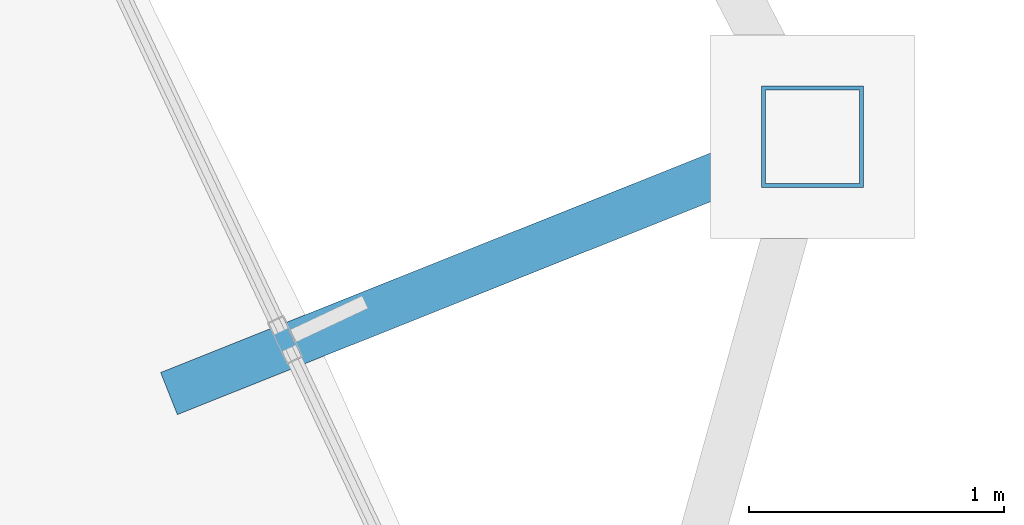
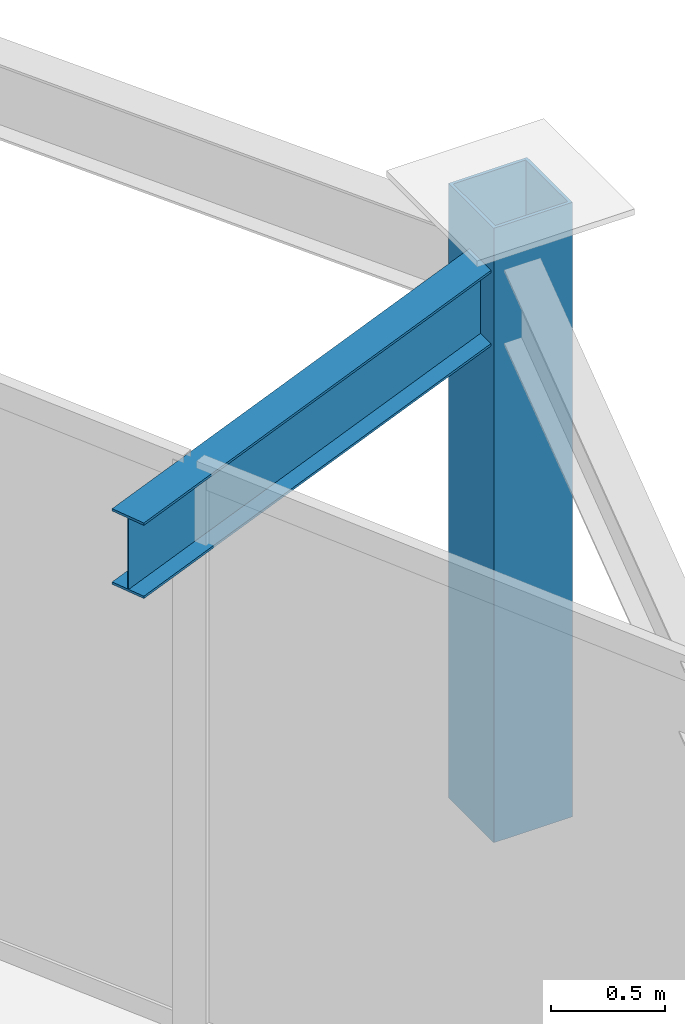
# One storey, part 19 of 33: 1 beam, 1 member.
"""IFC4 building model written with IfcOpenShell, lengths in metres."""

from ifc_helpers import new_model, si_unit, direction, frame, origin, origin_2d, place, context, subcontext, project, spatial, hollow_rectangle, i_section, extrude, material, material_profile, profile_set, type_object, element, save


model = new_model("IFC4")

# Units and contexts
model_context = context("Model", 3, precision=1e-05, world=origin(), true_north=direction((0.0, 1.0)))
body_context = subcontext(model_context, "Body", "Model", "MODEL_VIEW")
ifc_project = project(units=[si_unit("LENGTHUNIT", "METRE"), si_unit("AREAUNIT", "SQUARE_METRE"), si_unit("VOLUMEUNIT", "CUBIC_METRE"), si_unit("PLANEANGLEUNIT", "RADIAN"), si_unit("MASSUNIT", "GRAM", prefix="KILO")], contexts=[model_context])

# Site, building, storey
site_placement = place(None, origin())
site = spatial("IfcSite", under=ifc_project, at=site_placement, CompositionType="ELEMENT")
building_placement = place(site_placement, origin())
building = spatial("IfcBuilding", under=site, at=building_placement, Name="Orvanel Arch Residences", CompositionType="ELEMENT")
storey_placement = place(building_placement, frame((0.0, 0.0, 123.199951171875)))
storey = spatial("IfcBuildingStorey", under=building, at=storey_placement, Name="L34", CompositionType="ELEMENT", Elevation=123.199951171875)

# Beam
ifc_material_1 = material(Name="Structural steel AS/NZS 3679.1 Grade 300 (300 MPa)", Category="steel")
ifc_material_profile_1 = material_profile(ifc_material_1, i_section(OverallWidth=0.177978515625, OverallDepth=0.406005859375, WebThickness=0.0078125, FlangeThickness=0.0126953125, at=origin_2d()), Name="410UB59.7")
ifc_profile_set_1 = profile_set([ifc_material_profile_1], Name="Structural steel AS/NZS 3679.1 Grade 300 (300 MPa)")
beam_type = type_object("IfcBeamType", Name="OB-410UB-EXT", PredefinedType="SPANDREL", material=ifc_profile_set_1)
beam_placement = place(storey_placement, frame((53.7900390625, 19.174072265625, 2.85693359375), z_axis=(0.928748948455, 0.370709307602, 0.0), x_axis=(-0.370709307602, 0.928748948455, 0.0)))
element("IfcBeam", 1, at=beam_placement, inside=storey, type_object=beam_type, Name="L34 Outer Frame Radial Tie Beam 09", PredefinedType="SPANDREL", context=body_context, shape_type="SweptSolid", body=[
    extrude(i_section(OverallWidth=0.177978515625, OverallDepth=0.406005859375, WebThickness=0.0078125, FlangeThickness=0.0126953125, at=origin_2d()), origin(), (0.0, 0.0, 1.0), 2.718505859375),
])

# Member
ifc_material_2 = material(Name="Structural steel AS/NZS 1163 C450L0 (Grade 450)", Category="steel")
ifc_material_profile_2 = material_profile(ifc_material_2, hollow_rectangle(XDim=0.39990234375, YDim=0.39990234375, WallThickness=0.01611328125, at=origin_2d()), Name="SHS400x400x16")
ifc_profile_set_2 = profile_set([ifc_material_profile_2], Name="Structural steel AS/NZS 1163 C450L0 (Grade 450)")
member_type = type_object("IfcMemberType", Name="ST-400SHS-EXT", PredefinedType="STRUT", material=ifc_profile_set_2)
member_placement = place(storey_placement, frame((56.31494140625, 20.181884765625, 0.0), z_axis=(0.0, 0.0, 1.0), x_axis=(1.0, 0.0, 0.0)))
element("IfcMember", 2, at=member_placement, inside=storey, type_object=member_type, Name="L34 Outer Perimeter Frame Post 09", PredefinedType="STRUT", context=body_context, shape_type="SweptSolid", body=[
    extrude(hollow_rectangle(XDim=0.39990234375, YDim=0.39990234375, WallThickness=0.01611328125, at=origin_2d()), origin(), (0.0, 0.0, 1.0), 3.300048828125),
])

save(model, "model.ifc")
